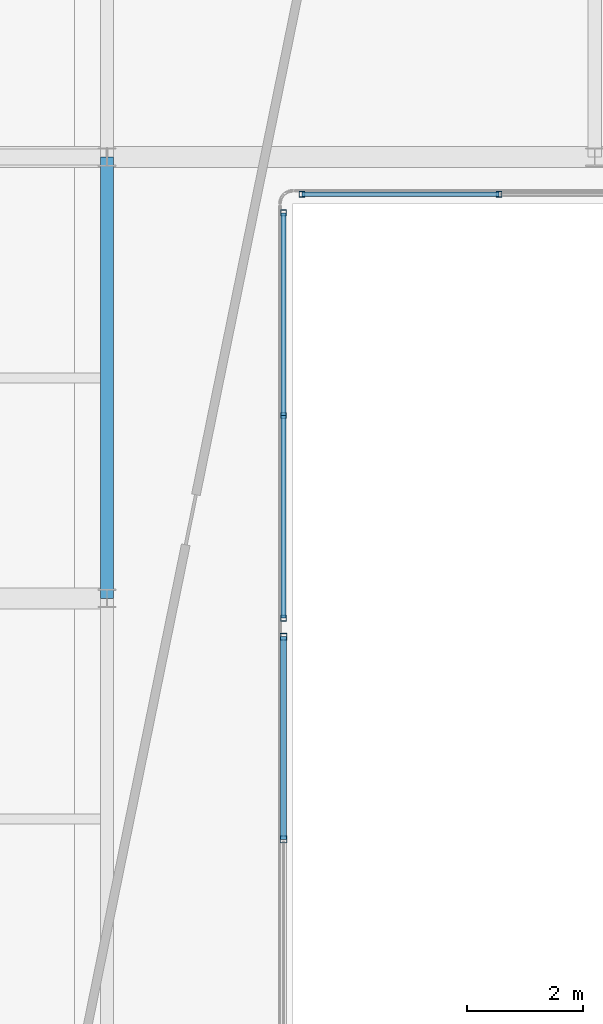
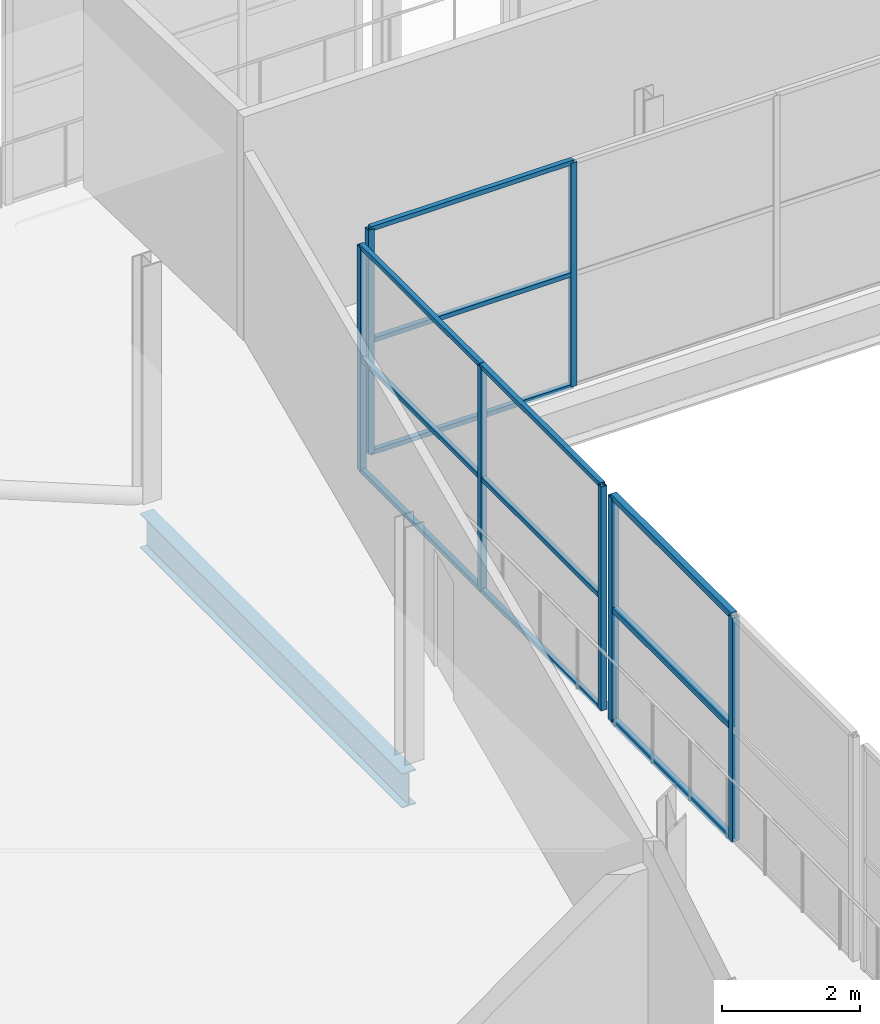
# One storey, part 55 of 151: 19 members, 1 beam, 3 elements without a shape of their own.
"""IFC4 building model written with IfcOpenShell, lengths in metres."""

from ifc_helpers import new_model, si_unit, direction, frame, origin, origin_2d, place, context, subcontext, project, spatial, hollow_rectangle, i_section, extrude, material, material_profile, profile_set, type_object, element, aggregate, save


model = new_model("IFC4")

# Units and contexts
model_context = context("Model", 3, precision=1e-05, world=origin(), true_north=direction((0.0, 1.0)))
body_context = subcontext(model_context, "Body", "Model", "MODEL_VIEW")
ifc_project = project(units=[si_unit("LENGTHUNIT", "METRE"), si_unit("AREAUNIT", "SQUARE_METRE"), si_unit("VOLUMEUNIT", "CUBIC_METRE"), si_unit("PLANEANGLEUNIT", "RADIAN"), si_unit("MASSUNIT", "GRAM", prefix="KILO")], contexts=[model_context])

# Site, building, storey
site_placement = place(None, origin())
site = spatial("IfcSite", under=ifc_project, at=site_placement, CompositionType="ELEMENT")
building_placement = place(site_placement, origin())
building = spatial("IfcBuilding", under=site, at=building_placement, Name="Zuvorla Pavilion Media Centre", CompositionType="ELEMENT")
storey_placement = place(building_placement, frame((0.0, 0.0, 13.800048828125)))
storey = spatial("IfcBuildingStorey", under=building, at=storey_placement, Name="L03", CompositionType="ELEMENT", Elevation=13.800048828125)

# Beam
ifc_material_1 = material(Name="Steel S355", Category="steel")
ifc_material_profile_1 = material_profile(ifc_material_1, i_section(OverallWidth=0.22900390625, OverallDepth=0.6123046875, WebThickness=0.011962890625, FlangeThickness=0.01953125, FilletRadius=0.0126953125, at=origin_2d()), Name="UB 610x229x125")
ifc_profile_set_1 = profile_set([ifc_material_profile_1], Name="Steel S355")
beam_type = type_object("IfcBeamType", Name="BM-UB610", PredefinedType="BEAM", material=ifc_profile_set_1)
beam_placement = place(storey_placement, frame((24.800048828125, 74.39990234375, -0.564208984375), z_axis=(0.0, 1.0, 0.0), x_axis=(-1.0, 0.0, 0.0)))
element("IfcBeam", 1, at=beam_placement, inside=storey, type_object=beam_type, Name="L03 beam B07 1155", PredefinedType="BEAM", context=body_context, shape_type="SweptSolid", body=[
    extrude(i_section(OverallWidth=0.22900390625, OverallDepth=0.6123046875, WebThickness=0.011962890625, FlangeThickness=0.01953125, FilletRadius=0.0126953125, at=origin_2d()), origin(), (0.0, 0.0, 1.0), 7.60009765625),
])

# Curtain wall, members
ifc_material_2 = material(Name="Unitised anodised aluminium and solar glass curtain wall", Category="aluminium")
curtain_wall_type_1 = type_object("IfcCurtainWallType", Name="CW-SYS-30", PredefinedType="USERDEFINED", material=ifc_material_2)
curtain_wall_1_placement = place(storey_placement, origin())
curtain_wall_1 = element("IfcCurtainWall", 2, at=curtain_wall_1_placement, inside=storey, type_object=curtain_wall_type_1, Name="L03 curtain wall CW30 150", ObjectType="CURTAIN WALL", PredefinedType="USERDEFINED")
ifc_material_3 = material(Name="Anodised aluminium 6063-T6", Category="aluminium")
ifc_material_profile_2 = material_profile(ifc_material_3, hollow_rectangle(XDim=0.10009765625, YDim=0.10009765625, WallThickness=0.00439453125, at=origin_2d()), Name="ALU MULL 100x100")
ifc_profile_set_2 = profile_set([ifc_material_profile_2], Name="Anodised aluminium 6063-T6")
member_type_1 = type_object("IfcMemberType", Name="CW-MULL-100", PredefinedType="MULLION", material=ifc_profile_set_2)
member_1_placement = place(storey_placement, frame((31.55322265625, 81.360107421875, 0.0), z_axis=(0.0, 0.0, 1.0), x_axis=(1.0, 0.0, 0.0)))
member_1 = element("IfcMember", 3, at=member_1_placement, type_object=member_type_1, Name="CW30 mullion 3", PredefinedType="MULLION", context=body_context, shape_type="SweptSolid", body=[
    extrude(hollow_rectangle(XDim=0.10009765625, YDim=0.10009765625, WallThickness=0.00439453125, at=origin_2d()), origin(), (0.0, 0.0, 1.0), 3.9599609375),
])
member_2_placement = place(storey_placement, frame((28.159912109375, 81.360107421875, 0.0), z_axis=(0.0, 0.0, 1.0), x_axis=(1.0, 0.0, 0.0)))
member_2 = element("IfcMember", 4, at=member_2_placement, type_object=member_type_1, Name="CW30 mullion 4", PredefinedType="MULLION", context=body_context, shape_type="SweptSolid", body=[
    extrude(hollow_rectangle(XDim=0.10009765625, YDim=0.10009765625, WallThickness=0.00439453125, at=origin_2d()), origin(), (0.0, 0.0, 1.0), 3.9599609375),
])

curtain_wall_type_2 = type_object("IfcCurtainWallType", Name="CW-SYS-57", PredefinedType="USERDEFINED", material=ifc_material_2)
curtain_wall_2_placement = place(storey_placement, origin())
curtain_wall_2 = element("IfcCurtainWall", 5, at=curtain_wall_2_placement, inside=storey, type_object=curtain_wall_type_2, Name="L03 curtain wall CW57 192", ObjectType="CURTAIN WALL", PredefinedType="USERDEFINED")
member_3_placement = place(storey_placement, frame((27.840087890625, 81.0400390625, 0.0), z_axis=(0.0, 0.0, 1.0), x_axis=(1.0, 0.0, 0.0)))
member_3 = element("IfcMember", 6, at=member_3_placement, type_object=member_type_1, Name="CW57 mullion 1", PredefinedType="MULLION", context=body_context, shape_type="SweptSolid", body=[
    extrude(hollow_rectangle(XDim=0.10009765625, YDim=0.10009765625, WallThickness=0.00439453125, at=origin_2d()), origin(), (0.0, 0.0, 1.0), 3.9599609375),
])
member_4_placement = place(storey_placement, frame((27.840087890625, 77.550048828125, 0.0), z_axis=(0.0, 0.0, 1.0), x_axis=(1.0, 0.0, 0.0)))
member_4 = element("IfcMember", 7, at=member_4_placement, type_object=member_type_1, Name="CW57 mullion 2", PredefinedType="MULLION", context=body_context, shape_type="SweptSolid", body=[
    extrude(hollow_rectangle(XDim=0.10009765625, YDim=0.10009765625, WallThickness=0.00439453125, at=origin_2d()), origin(), (0.0, 0.0, 1.0), 3.9599609375),
])
member_5_placement = place(storey_placement, frame((27.840087890625, 74.06005859375, 0.0), z_axis=(0.0, 0.0, 1.0), x_axis=(1.0, 0.0, 0.0)))
member_5 = element("IfcMember", 8, at=member_5_placement, type_object=member_type_1, Name="CW57 mullion 3", PredefinedType="MULLION", context=body_context, shape_type="SweptSolid", body=[
    extrude(hollow_rectangle(XDim=0.10009765625, YDim=0.10009765625, WallThickness=0.00439453125, at=origin_2d()), origin(), (0.0, 0.0, 1.0), 3.9599609375),
])

curtain_wall_type_3 = type_object("IfcCurtainWallType", Name="CW-SYS-58", PredefinedType="USERDEFINED", material=ifc_material_2)
curtain_wall_3_placement = place(storey_placement, origin())
curtain_wall_3 = element("IfcCurtainWall", 9, at=curtain_wall_3_placement, inside=storey, type_object=curtain_wall_type_3, Name="L03 curtain wall CW58 190", ObjectType="CURTAIN WALL", PredefinedType="USERDEFINED")
ifc_material_profile_3 = material_profile(ifc_material_3, hollow_rectangle(XDim=0.1201171875, YDim=0.1201171875, WallThickness=0.0048828125, at=origin_2d()), Name="ALU MULL 120x120")
ifc_profile_set_3 = profile_set([ifc_material_profile_3], Name="Anodised aluminium 6063-T6")
member_type_2 = type_object("IfcMemberType", Name="CW-MULL-120", PredefinedType="MULLION", material=ifc_profile_set_3)
member_6_placement = place(storey_placement, frame((27.840087890625, 73.739990234375, 0.0), z_axis=(0.0, 0.0, 1.0), x_axis=(1.0, 0.0, 0.0)))
member_6 = element("IfcMember", 10, at=member_6_placement, type_object=member_type_2, Name="CW58 mullion 1", PredefinedType="MULLION", context=body_context, shape_type="SweptSolid", body=[
    extrude(hollow_rectangle(XDim=0.1201171875, YDim=0.1201171875, WallThickness=0.0048828125, at=origin_2d()), origin(), (0.0, 0.0, 1.0), 3.9599609375),
])
member_7_placement = place(storey_placement, frame((27.840087890625, 70.25, 0.0), z_axis=(0.0, 0.0, 1.0), x_axis=(1.0, 0.0, 0.0)))
member_7 = element("IfcMember", 11, at=member_7_placement, type_object=member_type_2, Name="CW58 mullion 2", PredefinedType="MULLION", context=body_context, shape_type="SweptSolid", body=[
    extrude(hollow_rectangle(XDim=0.1201171875, YDim=0.1201171875, WallThickness=0.0048828125, at=origin_2d()), origin(), (0.0, 0.0, 1.0), 3.9599609375),
])
ifc_material_profile_4 = material_profile(ifc_material_3, hollow_rectangle(XDim=0.10009765625, YDim=0.10009765625, WallThickness=0.00439453125, at=origin_2d()), Name="ALU TRAN 100x100")
ifc_profile_set_4 = profile_set([ifc_material_profile_4], Name="Anodised aluminium 6063-T6")
member_type_3 = type_object("IfcMemberType", Name="CW-TRAN-100", PredefinedType="USERDEFINED", material=ifc_profile_set_4)
member_8_placement = place(storey_placement, frame((27.840087890625, 73.739990234375, 0.0), z_axis=(0.0, -1.0, 0.0), x_axis=(1.0, 0.0, 0.0)))
member_8 = element("IfcMember", 12, at=member_8_placement, type_object=member_type_3, Name="CW58 transom 1.1", ObjectType="TRANSOM", PredefinedType="USERDEFINED", context=body_context, shape_type="SweptSolid", body=[
    extrude(hollow_rectangle(XDim=0.10009765625, YDim=0.10009765625, WallThickness=0.00439453125, at=origin_2d()), origin(), (0.0, 0.0, 1.0), 3.489990234375),
])
member_9_placement = place(storey_placement, frame((27.840087890625, 73.739990234375, 1.97998046875), z_axis=(0.0, -1.0, 0.0), x_axis=(1.0, 0.0, 0.0)))
member_9 = element("IfcMember", 13, at=member_9_placement, type_object=member_type_3, Name="CW58 transom 1.2", ObjectType="TRANSOM", PredefinedType="USERDEFINED", context=body_context, shape_type="SweptSolid", body=[
    extrude(hollow_rectangle(XDim=0.10009765625, YDim=0.10009765625, WallThickness=0.00439453125, at=origin_2d()), origin(), (0.0, 0.0, 1.0), 3.489990234375),
])
member_10_placement = place(storey_placement, frame((27.840087890625, 73.739990234375, 3.9599609375), z_axis=(0.0, -1.0, 0.0), x_axis=(1.0, 0.0, 0.0)))
member_10 = element("IfcMember", 14, at=member_10_placement, type_object=member_type_3, Name="CW58 transom 1.3", ObjectType="TRANSOM", PredefinedType="USERDEFINED", context=body_context, shape_type="SweptSolid", body=[
    extrude(hollow_rectangle(XDim=0.10009765625, YDim=0.10009765625, WallThickness=0.00439453125, at=origin_2d()), origin(), (0.0, 0.0, 1.0), 3.489990234375),
])
aggregate(curtain_wall_3, [member_6, member_7, member_8, member_9, member_10])

# Member
ifc_material_profile_5 = material_profile(ifc_material_3, hollow_rectangle(XDim=0.080078125, YDim=0.080078125, WallThickness=0.00390625, at=origin_2d()), Name="ALU TRAN 80x80")
ifc_profile_set_5 = profile_set([ifc_material_profile_5], Name="Anodised aluminium 6063-T6")
member_type_4 = type_object("IfcMemberType", Name="CW-TRAN-80", PredefinedType="USERDEFINED", material=ifc_profile_set_5)
member_11_placement = place(storey_placement, frame((31.55322265625, 81.360107421875, 0.0), z_axis=(-1.0, 0.0, 0.0), x_axis=(0.0, -1.0, 0.0)))
member_11 = element("IfcMember", 15, at=member_11_placement, type_object=member_type_4, Name="CW30 transom 3.1", ObjectType="TRANSOM", PredefinedType="USERDEFINED", context=body_context, shape_type="SweptSolid", body=[
    extrude(hollow_rectangle(XDim=0.080078125, YDim=0.080078125, WallThickness=0.00390625, at=origin_2d()), origin(), (0.0, 0.0, 1.0), 3.393310546875),
])

member_12_placement = place(storey_placement, frame((31.55322265625, 81.360107421875, 1.97998046875), z_axis=(-1.0, 0.0, 0.0), x_axis=(0.0, -1.0, 0.0)))
member_12 = element("IfcMember", 16, at=member_12_placement, type_object=member_type_4, Name="CW30 transom 3.2", ObjectType="TRANSOM", PredefinedType="USERDEFINED", context=body_context, shape_type="SweptSolid", body=[
    extrude(hollow_rectangle(XDim=0.080078125, YDim=0.080078125, WallThickness=0.00390625, at=origin_2d()), origin(), (0.0, 0.0, 1.0), 3.393310546875),
])

member_13_placement = place(storey_placement, frame((31.55322265625, 81.360107421875, 3.9599609375), z_axis=(-1.0, 0.0, 0.0), x_axis=(0.0, -1.0, 0.0)))
member_13 = element("IfcMember", 17, at=member_13_placement, type_object=member_type_4, Name="CW30 transom 3.3", ObjectType="TRANSOM", PredefinedType="USERDEFINED", context=body_context, shape_type="SweptSolid", body=[
    extrude(hollow_rectangle(XDim=0.080078125, YDim=0.080078125, WallThickness=0.00390625, at=origin_2d()), origin(), (0.0, 0.0, 1.0), 3.393310546875),
])

aggregate(curtain_wall_1, [member_1, member_2, member_11, member_12, member_13])

member_14_placement = place(storey_placement, frame((27.840087890625, 81.0400390625, 0.0), z_axis=(0.0, -1.0, 0.0), x_axis=(1.0, 0.0, 0.0)))
member_14 = element("IfcMember", 18, at=member_14_placement, type_object=member_type_4, Name="CW57 transom 1.1", ObjectType="TRANSOM", PredefinedType="USERDEFINED", context=body_context, shape_type="SweptSolid", body=[
    extrude(hollow_rectangle(XDim=0.080078125, YDim=0.080078125, WallThickness=0.00390625, at=origin_2d()), origin(), (0.0, 0.0, 1.0), 3.489990234375),
])

member_15_placement = place(storey_placement, frame((27.840087890625, 81.0400390625, 1.97998046875), z_axis=(0.0, -1.0, 0.0), x_axis=(1.0, 0.0, 0.0)))
member_15 = element("IfcMember", 19, at=member_15_placement, type_object=member_type_4, Name="CW57 transom 1.2", ObjectType="TRANSOM", PredefinedType="USERDEFINED", context=body_context, shape_type="SweptSolid", body=[
    extrude(hollow_rectangle(XDim=0.080078125, YDim=0.080078125, WallThickness=0.00390625, at=origin_2d()), origin(), (0.0, 0.0, 1.0), 3.489990234375),
])

member_16_placement = place(storey_placement, frame((27.840087890625, 81.0400390625, 3.9599609375), z_axis=(0.0, -1.0, 0.0), x_axis=(1.0, 0.0, 0.0)))
member_16 = element("IfcMember", 20, at=member_16_placement, type_object=member_type_4, Name="CW57 transom 1.3", ObjectType="TRANSOM", PredefinedType="USERDEFINED", context=body_context, shape_type="SweptSolid", body=[
    extrude(hollow_rectangle(XDim=0.080078125, YDim=0.080078125, WallThickness=0.00390625, at=origin_2d()), origin(), (0.0, 0.0, 1.0), 3.489990234375),
])

member_17_placement = place(storey_placement, frame((27.840087890625, 77.550048828125, 0.0), z_axis=(0.0, -1.0, 0.0), x_axis=(1.0, 0.0, 0.0)))
member_17 = element("IfcMember", 21, at=member_17_placement, type_object=member_type_4, Name="CW57 transom 2.1", ObjectType="TRANSOM", PredefinedType="USERDEFINED", context=body_context, shape_type="SweptSolid", body=[
    extrude(hollow_rectangle(XDim=0.080078125, YDim=0.080078125, WallThickness=0.00390625, at=origin_2d()), origin(), (0.0, 0.0, 1.0), 3.489990234375),
])

member_18_placement = place(storey_placement, frame((27.840087890625, 77.550048828125, 1.97998046875), z_axis=(0.0, -1.0, 0.0), x_axis=(1.0, 0.0, 0.0)))
member_18 = element("IfcMember", 22, at=member_18_placement, type_object=member_type_4, Name="CW57 transom 2.2", ObjectType="TRANSOM", PredefinedType="USERDEFINED", context=body_context, shape_type="SweptSolid", body=[
    extrude(hollow_rectangle(XDim=0.080078125, YDim=0.080078125, WallThickness=0.00390625, at=origin_2d()), origin(), (0.0, 0.0, 1.0), 3.489990234375),
])

member_19_placement = place(storey_placement, frame((27.840087890625, 77.550048828125, 3.9599609375), z_axis=(0.0, -1.0, 0.0), x_axis=(1.0, 0.0, 0.0)))
member_19 = element("IfcMember", 23, at=member_19_placement, type_object=member_type_4, Name="CW57 transom 2.3", ObjectType="TRANSOM", PredefinedType="USERDEFINED", context=body_context, shape_type="SweptSolid", body=[
    extrude(hollow_rectangle(XDim=0.080078125, YDim=0.080078125, WallThickness=0.00390625, at=origin_2d()), origin(), (0.0, 0.0, 1.0), 3.489990234375),
])

aggregate(curtain_wall_2, [member_3, member_4, member_5, member_14, member_15, member_16, member_17, member_18, member_19])

save(model, "model.ifc")
